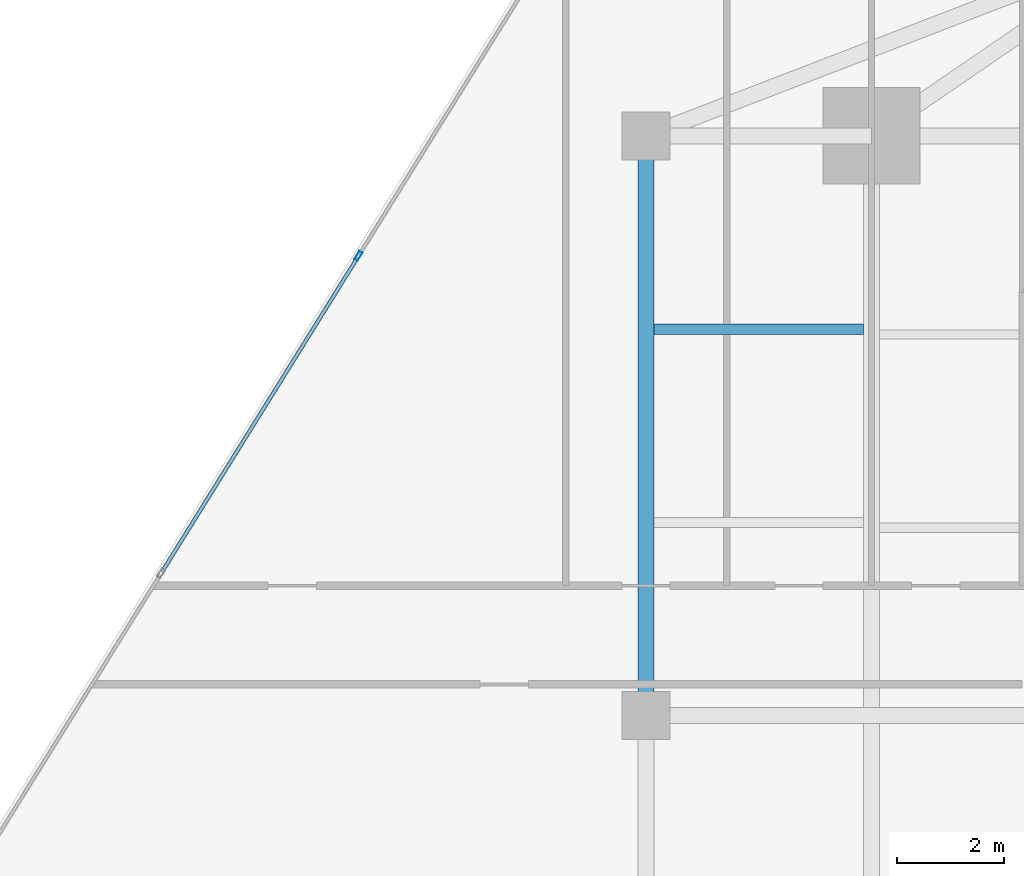
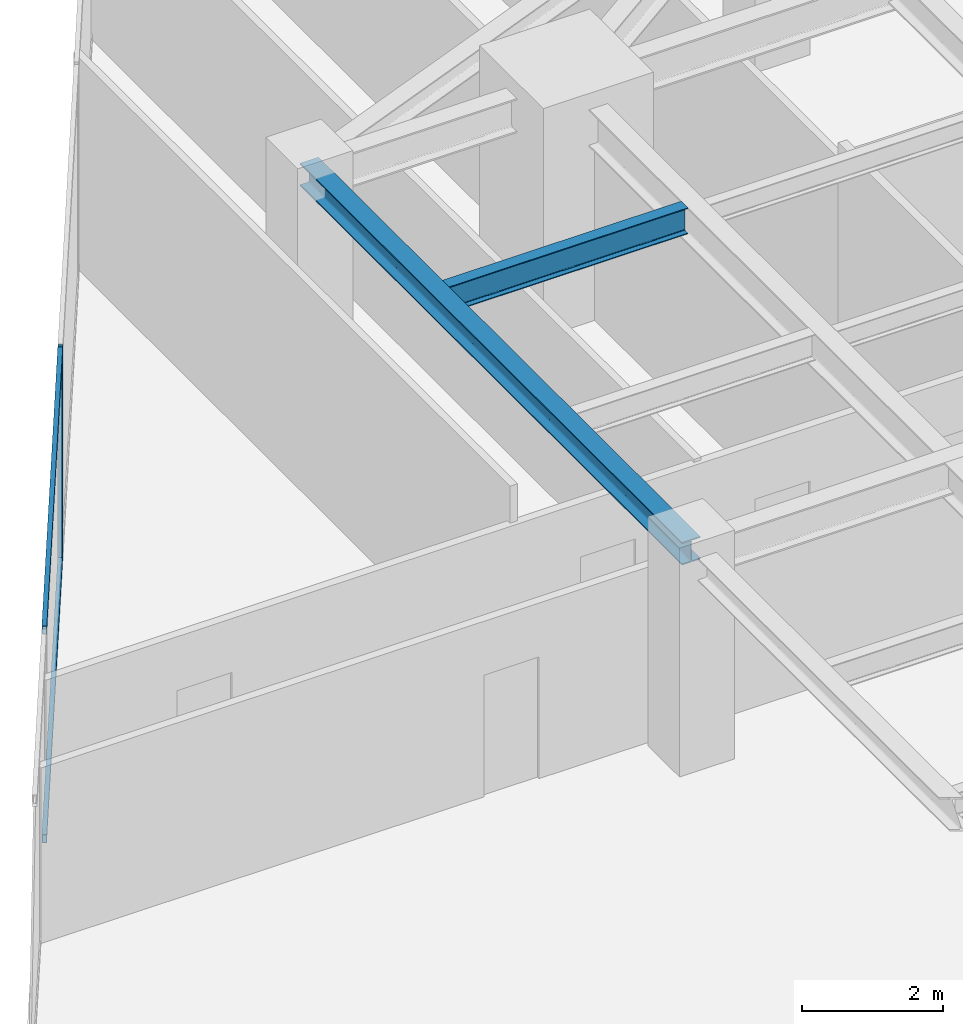
# One storey, part 12 of 25: 3 members, 2 beams, 1 element without a shape of its own.
"""IFC4 building model written with IfcOpenShell, lengths in metres."""

from ifc_helpers import new_model, si_unit, direction, frame, origin, origin_2d, place, context, subcontext, project, spatial, hollow_rectangle, i_section, extrude, source, transform, mapped, material, material_profile, profile_set, type_object, type_shapes, element, aggregate, save


model = new_model("IFC4")

# Units and contexts
model_context = context("Model", 3, precision=1e-05, world=origin(), true_north=direction((0.0, 1.0)))
body_context = subcontext(model_context, "Body", "Model", "MODEL_VIEW")
ifc_project = project(units=[si_unit("LENGTHUNIT", "METRE"), si_unit("AREAUNIT", "SQUARE_METRE"), si_unit("VOLUMEUNIT", "CUBIC_METRE"), si_unit("PLANEANGLEUNIT", "RADIAN"), si_unit("MASSUNIT", "GRAM", prefix="KILO")], contexts=[model_context])

# Site, building, storey
site_placement = place(None, origin())
site = spatial("IfcSite", under=ifc_project, at=site_placement, CompositionType="ELEMENT")
building_placement = place(site_placement, origin())
building = spatial("IfcBuilding", under=site, at=building_placement, Name="Krantzveldt Concourse Tower", CompositionType="ELEMENT")
storey_placement = place(building_placement, frame((0.0, 0.0, 177.800048828125)))
storey = spatial("IfcBuildingStorey", under=building, at=storey_placement, Name="L43", CompositionType="ELEMENT", Elevation=177.800048828125)

# Beams
ifc_material_1 = material(Name="Steel S355JR", Category="steel")
ifc_material_profile_1 = material_profile(ifc_material_1, i_section(OverallWidth=0.300048828125, OverallDepth=0.389892578125, WebThickness=0.010986328125, FlangeThickness=0.01904296875, FilletRadius=0.027099609375, at=origin_2d()), Name="Steel S355JR", Category="steel")
ifc_profile_set_1 = profile_set([ifc_material_profile_1], Name="Steel S355JR - HEA 400")
beam_type_1 = type_object("IfcBeamType", Name="BM-SP-HEA400", PredefinedType="SPANDREL", material=ifc_profile_set_1)
shared_shape_1 = source(origin(), body_context, "Body", "SweptSolid", [
    extrude(i_section(OverallWidth=0.300048828125, OverallDepth=0.389892578125, WebThickness=0.010986328125, FlangeThickness=0.01904296875, FilletRadius=0.027099609375, at=origin_2d()), origin(), (0.0, 0.0, 1.0), 10.800048828125),
])
type_shapes(beam_type_1, [shared_shape_1])
beam_1_placement = place(storey_placement, frame((21.0, 26.699951171875, 3.474853515625), z_axis=(0.0, 1.0, 0.0), x_axis=(-1.0, 0.0, 0.0)))
element("IfcBeam", 1, at=beam_1_placement, inside=storey, type_object=beam_type_1, Name="L43 Tower Girder SP-R02", PredefinedType="SPANDREL", context=body_context, shape_type="MappedRepresentation", body=[
    mapped(shared_shape_1, transform((0.0, 0.0, 0.0), x_axis=(1.0, 0.0, 0.0), y_axis=(0.0, 1.0, 0.0), z_axis=(0.0, 0.0, 1.0), scale=1.0)),
])
ifc_material_profile_2 = material_profile(ifc_material_1, i_section(OverallWidth=0.18994140625, OverallDepth=0.449951171875, WebThickness=0.009521484375, FlangeThickness=0.0146484375, FilletRadius=0.02099609375, at=origin_2d()), Name="Steel S355JR", Category="steel")
ifc_profile_set_2 = profile_set([ifc_material_profile_2], Name="Steel S355JR - IPE 450")
beam_type_2 = type_object("IfcBeamType", Name="BM-J-IPE450", PredefinedType="JOIST", material=ifc_profile_set_2)
shared_shape_2 = source(origin(), body_context, "Body", "SweptSolid", [
    extrude(i_section(OverallWidth=0.18994140625, OverallDepth=0.449951171875, WebThickness=0.009521484375, FlangeThickness=0.0146484375, FilletRadius=0.02099609375, at=origin_2d()), origin(), (0.0, 0.0, 1.0), 3.900146484375),
])
type_shapes(beam_type_2, [shared_shape_2])
beam_2_placement = place(storey_placement, frame((21.14990234375, 33.89990234375, 3.445068359375), z_axis=(1.0, 0.0, 0.0), x_axis=(0.0, 1.0, 0.0)))
element("IfcBeam", 2, at=beam_2_placement, inside=storey, type_object=beam_type_2, Name="L43 Secondary Floor Joist JW-4", PredefinedType="JOIST", context=body_context, shape_type="MappedRepresentation", body=[
    mapped(shared_shape_2, transform((0.0, 0.0, 0.0), x_axis=(1.0, 0.0, 0.0), y_axis=(0.0, 1.0, 0.0), z_axis=(0.0, 0.0, 1.0), scale=1.0)),
])

# Curtain wall, members
ifc_material_2 = material(Name="Anodised aluminium 6063-T6", Category="aluminium")
curtain_wall_type = type_object("IfcCurtainWallType", Name="CW3", PredefinedType="USERDEFINED", material=ifc_material_2)
curtain_wall_placement = place(storey_placement, origin())
curtain_wall = element("IfcCurtainWall", 3, at=curtain_wall_placement, inside=storey, type_object=curtain_wall_type, Name="CW-L43-F01", ObjectType="UNITISED CURTAIN WALL", PredefinedType="USERDEFINED")
ifc_material_profile_3 = material_profile(ifc_material_2, hollow_rectangle(XDim=0.070068359375, YDim=0.179931640625, WallThickness=0.0048828125, at=origin_2d()), Name="Anodised aluminium 6063-T6", Category="aluminium")
ifc_profile_set_3 = profile_set([ifc_material_profile_3], Name="Anodised aluminium 6063-T6 - ALU-MULL 180x70x5")
member_type_1 = type_object("IfcMemberType", Name="CW-MUL-180", PredefinedType="MULLION", material=ifc_profile_set_3)
shared_shape_3 = source(origin(), body_context, "Body", "SweptSolid", [
    extrude(hollow_rectangle(XDim=0.070068359375, YDim=0.179931640625, WallThickness=0.0048828125, at=origin_2d()), origin(), (0.0, 0.0, 1.0), 3.669921875),
])
type_shapes(member_type_1, [shared_shape_3])
member_1_placement = place(storey_placement, frame((15.64111328125, 35.261962890625, 0.0), z_axis=(0.0, 0.0, 1.0), x_axis=(0.84920214961, -0.528067901977, 0.0)))
member_1 = element("IfcMember", 4, at=member_1_placement, type_object=member_type_1, Name="CW-Z34 mullion 4", PredefinedType="MULLION", context=body_context, shape_type="MappedRepresentation", body=[
    mapped(shared_shape_3, transform((0.0, 0.0, 0.0), x_axis=(1.0, 0.0, 0.0), y_axis=(0.0, 1.0, 0.0), z_axis=(0.0, 0.0, 1.0), scale=1.0)),
])
ifc_material_profile_4 = material_profile(ifc_material_2, hollow_rectangle(XDim=0.070068359375, YDim=0.139892578125, WallThickness=0.0048828125, at=origin_2d()), Name="Anodised aluminium 6063-T6", Category="aluminium")
ifc_profile_set_4 = profile_set([ifc_material_profile_4], Name="Anodised aluminium 6063-T6 - ALU-TRAN 140x70x5")
member_type_2 = type_object("IfcMemberType", Name="CW-TRN-150", PredefinedType="USERDEFINED", material=ifc_profile_set_4)
shared_shape_4 = source(origin(), body_context, "Body", "SweptSolid", [
    extrude(hollow_rectangle(XDim=0.070068359375, YDim=0.139892578125, WallThickness=0.0048828125, at=origin_2d()), origin(), (0.0, 0.0, 1.0), 6.89013671875),
])
type_shapes(member_type_2, [shared_shape_4])
member_2_placement = place(storey_placement, frame((15.622802734375, 35.232177734375, 0.034912109375), z_axis=(-0.528067429464, -0.849202443437, 0.0), x_axis=(0.849202443437, -0.528067429464, 0.0)))
member_2 = element("IfcMember", 5, at=member_2_placement, type_object=member_type_2, Name="CW-Z34 transom 4.1", ObjectType="TRANSOM", PredefinedType="USERDEFINED", context=body_context, shape_type="MappedRepresentation", body=[
    mapped(shared_shape_4, transform((0.0, 0.0, 0.0), x_axis=(1.0, 0.0, 0.0), y_axis=(0.0, 1.0, 0.0), z_axis=(0.0, 0.0, 1.0), scale=1.0)),
])
member_3_placement = place(storey_placement, frame((15.622802734375, 35.232177734375, 3.635009765625), z_axis=(-0.528067429464, -0.849202443437, 0.0), x_axis=(0.849202443437, -0.528067429464, 0.0)))
member_3 = element("IfcMember", 6, at=member_3_placement, type_object=member_type_2, Name="CW-Z34 transom 4.2", ObjectType="TRANSOM", PredefinedType="USERDEFINED", context=body_context, shape_type="MappedRepresentation", body=[
    mapped(shared_shape_4, transform((0.0, 0.0, 0.0), x_axis=(1.0, 0.0, 0.0), y_axis=(0.0, 1.0, 0.0), z_axis=(0.0, 0.0, 1.0), scale=1.0)),
])
aggregate(curtain_wall, [member_1, member_2, member_3])

save(model, "model.ifc")
